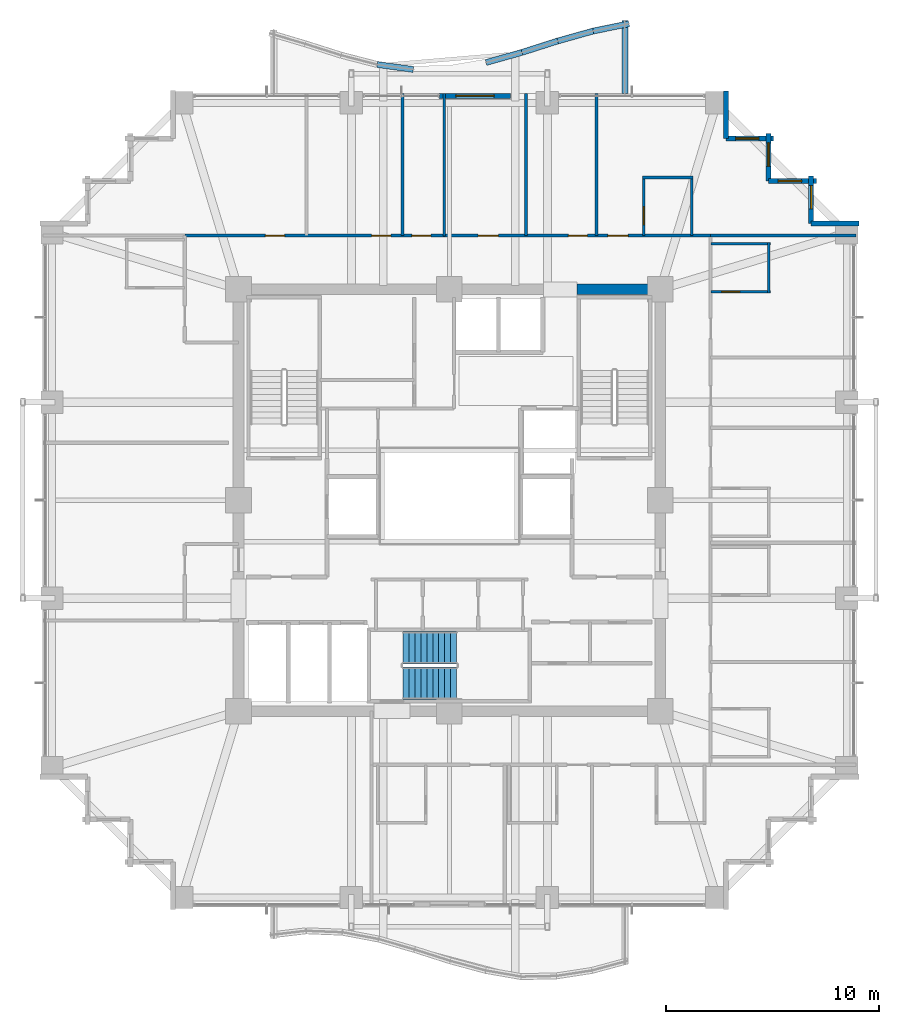
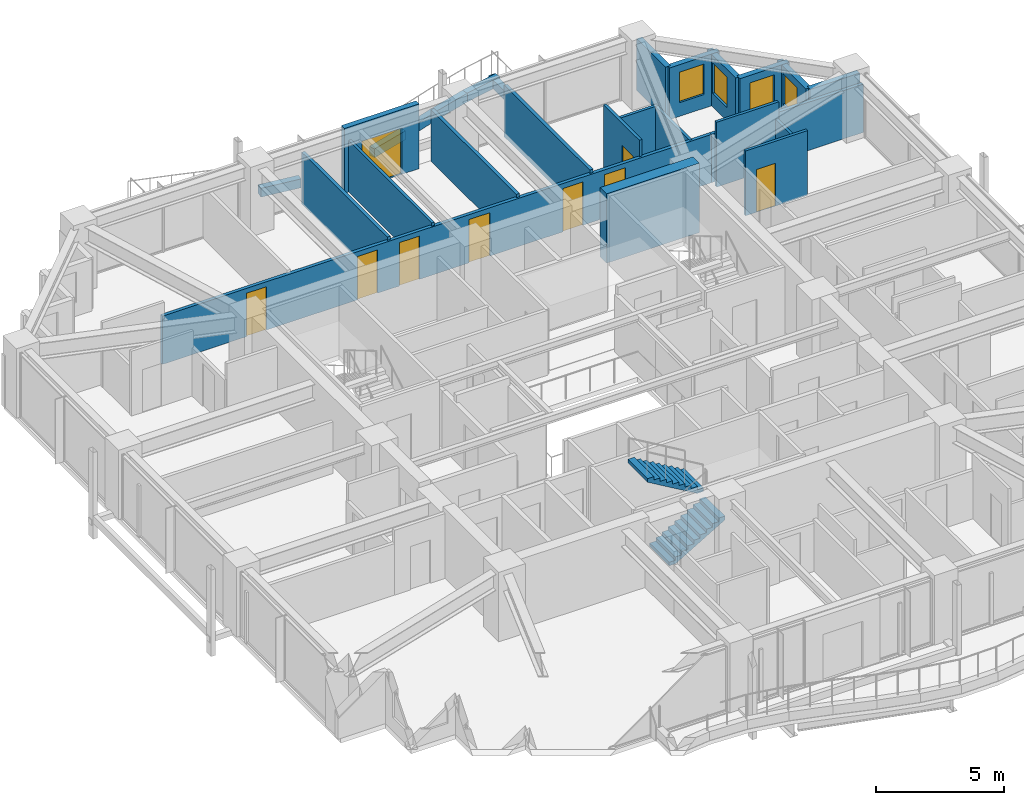
# One storey, part 31 of 34: 26 walls, 9 doors, 4 windows, 2 stair flights, 13 openings, 1 element without a shape of its own.
"""IFC4 building model written with IfcOpenShell, lengths in metres."""

from ifc_helpers import new_model, si_unit, direction, frame, frame_2d, origin, place, context, subcontext, project, spatial, polyline, rectangle, outline, extrude, material, layer, layer_set, type_object, element, fill, aggregate, save


model = new_model("IFC4")

# Units and contexts
model_context = context("Model", 3, precision=1e-05, world=origin(), true_north=direction((0.0, 1.0)))
body_context = subcontext(model_context, "Body", "Model", "MODEL_VIEW")
ifc_project = project(units=[si_unit("LENGTHUNIT", "METRE"), si_unit("AREAUNIT", "SQUARE_METRE"), si_unit("VOLUMEUNIT", "CUBIC_METRE"), si_unit("PLANEANGLEUNIT", "RADIAN"), si_unit("MASSUNIT", "GRAM", prefix="KILO")], contexts=[model_context])

# Site, building, storey
site_placement = place(None, origin())
site = spatial("IfcSite", under=ifc_project, at=site_placement, CompositionType="ELEMENT")
building_placement = place(site_placement, origin())
building = spatial("IfcBuilding", under=site, at=building_placement, Name="Kolvaren Belvedere", CompositionType="ELEMENT")
storey_placement = place(building_placement, frame((0.0, 0.0, 111.800048828125)))
storey = spatial("IfcBuildingStorey", under=building, at=storey_placement, Name="L32", CompositionType="ELEMENT", Elevation=111.800048828125)

# Wall
ifc_material_1 = material(Name="Concrete C50/60", Category="concrete")
ifc_layer_1 = layer(ifc_material_1, 0.5)
ifc_layer_set_1 = layer_set([ifc_layer_1], Name="Concrete C50/60")
wall_type_1 = type_object("IfcWallType", Name="CW-CORE-500", PredefinedType="SHEAR", material=ifc_layer_set_1)
wall_1_placement = place(storey_placement, frame((5.97998046875, 9.89990234375, 0.0), z_axis=(0.0, 0.0, 1.0), x_axis=(1.0, 0.0, 0.0)))
element("IfcWall", 1, at=wall_1_placement, inside=storey, type_object=wall_type_1, Name="L32 North Core Shear Wall 2", PredefinedType="SHEAR", context=body_context, shape_type="SweptSolid", body=[
    extrude(rectangle(XDim=4.169921875, YDim=0.5, at=frame_2d((2.0849609375, 0.0))), origin(), (0.0, 0.0, 1.0), 3.300048828125),
])

# Wall, openings, doors
ifc_material_2 = material(Name="Gypsum fire-rated partition assembly", Category="gypsum")
ifc_layer_2 = layer(ifc_material_2, 0.14990234375)
ifc_layer_set_2 = layer_set([ifc_layer_2], Name="Gypsum fire-rated partition assembly")
wall_type_2 = type_object("IfcWallType", Name="WL-CORR-150", PredefinedType="PARTITIONING", material=ifc_layer_set_2)
wall_2_placement = place(storey_placement, frame((-12.419921875, 12.419921875, 0.0), z_axis=(0.0, 0.0, 1.0), x_axis=(1.0, 0.0, 0.0)))
wall_2 = element("IfcWall", 2, at=wall_2_placement, inside=storey, type_object=wall_type_2, Name="L32 North Corridor Wall", PredefinedType="PARTITIONING", context=body_context, shape_type="SweptSolid", body=[
    extrude(rectangle(XDim=24.679931640625, YDim=0.14990234375, at=frame_2d((12.33984375, 0.0))), origin(), (0.0, 0.0, 1.0), 2.2919921875),
])
opening_1_placement = place(wall_2_placement, frame((3.781494140625, 0.0, 0.0)))
opening_1 = element("IfcOpeningElement", 3, at=opening_1_placement, cuts=wall_2, Name="Opening D-INT90", PredefinedType="OPENING", context=body_context, shape_type="SweptSolid", body=[
    extrude(rectangle(XDim=0.89990234375, YDim=2.06005859375, at=frame_2d((0.449951171875, 1.030029296875))), frame((0.0, 0.0849609375, 0.0), z_axis=(0.0, -1.0, 0.0), x_axis=(1.0, 0.0, 0.0)), (0.0, 0.0, 1.0), 0.169921875),
])
opening_2_placement = place(wall_2_placement, frame((8.773193359375, 0.0, 0.0)))
opening_2 = element("IfcOpeningElement", 4, at=opening_2_placement, cuts=wall_2, Name="Opening D-INT90", PredefinedType="OPENING", context=body_context, shape_type="SweptSolid", body=[
    extrude(rectangle(XDim=0.89990234375, YDim=2.06005859375, at=frame_2d((0.449951171875, 1.030029296875))), frame((0.0, 0.0849609375, 0.0), z_axis=(0.0, -1.0, 0.0), x_axis=(1.0, 0.0, 0.0)), (0.0, 0.0, 1.0), 0.169921875),
])
opening_3_placement = place(wall_2_placement, frame((10.656005859375, 0.0, 0.0)))
opening_3 = element("IfcOpeningElement", 5, at=opening_3_placement, cuts=wall_2, Name="Opening D-INT90", PredefinedType="OPENING", context=body_context, shape_type="SweptSolid", body=[
    extrude(rectangle(XDim=0.89990234375, YDim=2.06005859375, at=frame_2d((0.449951171875, 1.030029296875))), frame((0.0, 0.0849609375, 0.0), z_axis=(0.0, -1.0, 0.0), x_axis=(1.0, 0.0, 0.0)), (0.0, 0.0, 1.0), 0.169921875),
])
opening_4_placement = place(wall_2_placement, frame((13.773193359375, 0.0, 0.0)))
opening_4 = element("IfcOpeningElement", 6, at=opening_4_placement, cuts=wall_2, Name="Opening D-INT95", PredefinedType="OPENING", context=body_context, shape_type="SweptSolid", body=[
    extrude(rectangle(XDim=0.949951171875, YDim=2.06005859375, at=frame_2d((0.47509765625, 1.030029296875))), frame((0.0, 0.0849609375, 0.0), z_axis=(0.0, -1.0, 0.0), x_axis=(1.0, 0.0, 0.0)), (0.0, 0.0, 1.0), 0.169921875),
])
opening_5_placement = place(wall_2_placement, frame((18.00048828125, 0.0, 0.0)))
opening_5 = element("IfcOpeningElement", 7, at=opening_5_placement, cuts=wall_2, Name="Opening D-INT90", PredefinedType="OPENING", context=body_context, shape_type="SweptSolid", body=[
    extrude(rectangle(XDim=0.89990234375, YDim=2.06005859375, at=frame_2d((0.449951171875, 1.030029296875))), frame((0.0, 0.0849609375, 0.0), z_axis=(0.0, -1.0, 0.0), x_axis=(1.0, 0.0, 0.0)), (0.0, 0.0, 1.0), 0.169921875),
])
opening_6_placement = place(wall_2_placement, frame((19.861083984375, 0.0, 0.0)))
opening_6 = element("IfcOpeningElement", 8, at=opening_6_placement, cuts=wall_2, Name="Opening D-FD60", PredefinedType="OPENING", context=body_context, shape_type="SweptSolid", body=[
    extrude(rectangle(XDim=0.949951171875, YDim=2.06005859375, at=frame_2d((0.47509765625, 1.030029296875))), frame((0.0, 0.0849609375, 0.0), z_axis=(0.0, -1.0, 0.0), x_axis=(1.0, 0.0, 0.0)), (0.0, 0.0, 1.0), 0.169921875),
])
ifc_material_3 = material(Name="Acoustic white-oak fire door leaf", Category="timber")
door_type_1 = type_object("IfcDoorType", Name="DR-FD60-950", OperationType="NOTDEFINED", PredefinedType="DOOR", material=ifc_material_3)
door_1_placement = place(opening_6_placement, origin())
door_1 = element("IfcDoor", 9, at=door_1_placement, inside=storey, type_object=door_type_1, Name="L32 King Guest Room 3204 Entry Door", OperationType="SINGLE_SWING_LEFT", OverallHeight=2.06005859375, OverallWidth=0.949951171875, PredefinedType="DOOR", context=body_context, shape_type="SweptSolid", body=[
    extrude(rectangle(XDim=0.949951171875, YDim=2.06005859375, at=frame_2d((0.47509765625, 1.030029296875))), frame((0.0, 0.02490234375, 0.0), z_axis=(0.0, -1.0, 0.0), x_axis=(1.0, 0.0, 0.0)), (0.0, 0.0, 1.0), 0.050048828125),
])
fill(opening_6, door_1)
ifc_material_4 = material(Name="Stained Pacific white oak", Category="timber")
door_type_2 = type_object("IfcDoorType", Name="DR-INT-900", OperationType="NOTDEFINED", PredefinedType="DOOR", material=ifc_material_4)
door_2_placement = place(opening_1_placement, origin())
door_2 = element("IfcDoor", 10, at=door_2_placement, inside=storey, type_object=door_type_2, Name="L32 Wellness Yoga & Reading Gym 3201 Door", OperationType="SINGLE_SWING_LEFT", OverallHeight=2.06005859375, OverallWidth=0.89990234375, PredefinedType="DOOR", context=body_context, shape_type="SweptSolid", body=[
    extrude(rectangle(XDim=0.89990234375, YDim=2.06005859375, at=frame_2d((0.449951171875, 1.030029296875))), frame((0.0, 0.02490234375, 0.0), z_axis=(0.0, -1.0, 0.0), x_axis=(1.0, 0.0, 0.0)), (0.0, 0.0, 1.0), 0.050048828125),
])
fill(opening_1, door_2)
door_3_placement = place(opening_2_placement, origin())
door_3 = element("IfcDoor", 11, at=door_3_placement, inside=storey, type_object=door_type_2, Name="L32 Guest Tea & Espresso Kitchen 3202 Door", OperationType="SINGLE_SWING_RIGHT", OverallHeight=2.06005859375, OverallWidth=0.89990234375, PredefinedType="DOOR", context=body_context, shape_type="SweptSolid", body=[
    extrude(rectangle(XDim=0.89990234375, YDim=2.06005859375, at=frame_2d((0.449951171875, 1.030029296875))), frame((0.0, 0.02490234375, 0.0), z_axis=(0.0, -1.0, 0.0), x_axis=(1.0, 0.0, 0.0)), (0.0, 0.0, 1.0), 0.050048828125),
])
fill(opening_2, door_3)
door_4_placement = place(opening_3_placement, origin())
door_4 = element("IfcDoor", 12, at=door_4_placement, inside=storey, type_object=door_type_2, Name="L32 Housekeeping Door", OperationType="SINGLE_SWING_LEFT", OverallHeight=2.06005859375, OverallWidth=0.89990234375, PredefinedType="DOOR", context=body_context, shape_type="SweptSolid", body=[
    extrude(rectangle(XDim=0.89990234375, YDim=2.06005859375, at=frame_2d((0.449951171875, 1.030029296875))), frame((0.0, 0.02490234375, 0.0), z_axis=(0.0, -1.0, 0.0), x_axis=(1.0, 0.0, 0.0)), (0.0, 0.0, 1.0), 0.050048828125),
])
fill(opening_3, door_4)
door_5_placement = place(opening_5_placement, origin())
door_5 = element("IfcDoor", 13, at=door_5_placement, inside=storey, type_object=door_type_2, Name="L32 Private Hospitality Meeting Room 3203 Door", OperationType="SINGLE_SWING_LEFT", OverallHeight=2.06005859375, OverallWidth=0.89990234375, PredefinedType="DOOR", context=body_context, shape_type="SweptSolid", body=[
    extrude(rectangle(XDim=0.89990234375, YDim=2.06005859375, at=frame_2d((0.449951171875, 1.030029296875))), frame((0.0, 0.02490234375, 0.0), z_axis=(0.0, -1.0, 0.0), x_axis=(1.0, 0.0, 0.0)), (0.0, 0.0, 1.0), 0.050048828125),
])
fill(opening_5, door_5)
ifc_material_5 = material(Name="Stained Pacific white oak", Category="timber")
door_type_3 = type_object("IfcDoorType", Name="DR-INT-950", OperationType="NOTDEFINED", PredefinedType="DOOR", material=ifc_material_5)
door_6_placement = place(opening_4_placement, origin())
door_6 = element("IfcDoor", 14, at=door_6_placement, inside=storey, type_object=door_type_3, Name="L32 Accessible Washroom Door", OperationType="SINGLE_SWING_RIGHT", OverallHeight=2.06005859375, OverallWidth=0.949951171875, PredefinedType="DOOR", context=body_context, shape_type="SweptSolid", body=[
    extrude(rectangle(XDim=0.949951171875, YDim=2.06005859375, at=frame_2d((0.47509765625, 1.030029296875))), frame((0.0, 0.02490234375, 0.0), z_axis=(0.0, -1.0, 0.0), x_axis=(1.0, 0.0, 0.0)), (0.0, 0.0, 1.0), 0.050048828125),
])
fill(opening_4, door_6)

# Wall
ifc_material_6 = material(Name="Insulated pale-metal facade wall assembly", Category="aluminium")
ifc_layer_3 = layer(ifc_material_6, 0.239990234375)
ifc_layer_set_3 = layer_set([ifc_layer_3], Name="Insulated pale-metal facade wall assembly")
wall_type_3 = type_object("IfcWallType", Name="WL-EXT-240", PredefinedType="STANDARD", material=ifc_layer_set_3)
wall_3_placement = place(storey_placement, frame((16.97998046875, 12.97998046875, 0.0), z_axis=(0.0, 0.0, 1.0), x_axis=(1.0, 0.0, 0.0)))
element("IfcWall", 15, at=wall_3_placement, inside=storey, type_object=wall_type_3, Name="L32 Serrated Corner Facade Wall 9", PredefinedType="STANDARD", context=body_context, shape_type="SweptSolid", body=[
    extrude(rectangle(XDim=2.239990234375, YDim=0.239990234375, at=frame_2d((1.1201171875, 0.0))), origin(), (0.0, 0.0, 1.0), 2.458984375),
])

# Wall, opening, window
wall_4_placement = place(storey_placement, frame((16.97998046875, 15.219970703125, 0.0), z_axis=(0.0, 0.0, 1.0), x_axis=(0.0, -1.0, 0.0)))
wall_4 = element("IfcWall", 16, at=wall_4_placement, inside=storey, type_object=wall_type_3, Name="L32 Serrated Corner Facade Wall 10", PredefinedType="STANDARD", context=body_context, shape_type="SweptSolid", body=[
    extrude(rectangle(XDim=2.239990234375, YDim=0.239990234375, at=frame_2d((1.1201171875, 0.0))), origin(), (0.0, 0.0, 1.0), 2.458984375),
])
opening_7_placement = place(wall_4_placement, frame((0.449951171875, 0.0, 0.64990234375)))
opening_7 = element("IfcOpeningElement", 17, at=opening_7_placement, cuts=wall_4, Name="Opening W-1100", PredefinedType="OPENING", context=body_context, shape_type="SweptSolid", body=[
    extrude(rectangle(XDim=1.10009765625, YDim=1.449951171875, at=frame_2d((0.550048828125, 0.72509765625))), frame((0.0, 0.1298828125, 0.0), z_axis=(0.0, -1.0, 0.0), x_axis=(1.0, 0.0, 0.0)), (0.0, 0.0, 1.0), 0.260009765625),
])
ifc_material_7 = material(Name="Low-iron triple insulated glass", Category="glass")
window_type = type_object("IfcWindowType", Name="WN-CORN-1100", PartitioningType="SINGLE_PANEL", PredefinedType="WINDOW", material=ifc_material_7)
window_1_placement = place(opening_7_placement, origin())
window_1 = element("IfcWindow", 18, at=window_1_placement, inside=storey, type_object=window_type, Name="L32 Serrated Corner Vision Window 10", OverallHeight=1.449951171875, OverallWidth=1.10009765625, PartitioningType="SINGLE_PANEL", PredefinedType="WINDOW", context=body_context, shape_type="SweptSolid", body=[
    extrude(rectangle(XDim=1.10009765625, YDim=1.449951171875, at=frame_2d((0.550048828125, 0.72509765625))), frame((0.0, 0.030029296875, 0.0), z_axis=(0.0, -1.0, 0.0), x_axis=(1.0, 0.0, 0.0)), (0.0, 0.0, 1.0), 0.06005859375),
])
fill(opening_7, window_1)

wall_5_placement = place(storey_placement, frame((14.97998046875, 14.97998046875, 0.0), z_axis=(0.0, 0.0, 1.0), x_axis=(1.0, 0.0, 0.0)))
wall_5 = element("IfcWall", 19, at=wall_5_placement, inside=storey, type_object=wall_type_3, Name="L32 Serrated Corner Facade Wall 11", PredefinedType="STANDARD", context=body_context, shape_type="SweptSolid", body=[
    extrude(rectangle(XDim=2.239990234375, YDim=0.239990234375, at=frame_2d((1.1201171875, 0.0))), origin(), (0.0, 0.0, 1.0), 2.458984375),
])
opening_8_placement = place(wall_5_placement, frame((0.449951171875, 0.0, 0.64990234375)))
opening_8 = element("IfcOpeningElement", 20, at=opening_8_placement, cuts=wall_5, Name="Opening W-1100", PredefinedType="OPENING", context=body_context, shape_type="SweptSolid", body=[
    extrude(rectangle(XDim=1.10009765625, YDim=1.449951171875, at=frame_2d((0.550048828125, 0.72509765625))), frame((0.0, 0.1298828125, 0.0), z_axis=(0.0, -1.0, 0.0), x_axis=(1.0, 0.0, 0.0)), (0.0, 0.0, 1.0), 0.260009765625),
])
window_2_placement = place(opening_8_placement, origin())
window_2 = element("IfcWindow", 21, at=window_2_placement, inside=storey, type_object=window_type, Name="L32 Serrated Corner Vision Window 11", OverallHeight=1.449951171875, OverallWidth=1.10009765625, PartitioningType="SINGLE_PANEL", PredefinedType="WINDOW", context=body_context, shape_type="SweptSolid", body=[
    extrude(rectangle(XDim=1.10009765625, YDim=1.449951171875, at=frame_2d((0.550048828125, 0.72509765625))), frame((0.0, 0.030029296875, 0.0), z_axis=(0.0, -1.0, 0.0), x_axis=(1.0, 0.0, 0.0)), (0.0, 0.0, 1.0), 0.06005859375),
])
fill(opening_8, window_2)

wall_6_placement = place(storey_placement, frame((14.97998046875, 17.219970703125, 0.0), z_axis=(0.0, 0.0, 1.0), x_axis=(0.0, -1.0, 0.0)))
wall_6 = element("IfcWall", 22, at=wall_6_placement, inside=storey, type_object=wall_type_3, Name="L32 Serrated Corner Facade Wall 12", PredefinedType="STANDARD", context=body_context, shape_type="SweptSolid", body=[
    extrude(rectangle(XDim=2.239990234375, YDim=0.239990234375, at=frame_2d((1.1201171875, 0.0))), origin(), (0.0, 0.0, 1.0), 2.458984375),
])
opening_9_placement = place(wall_6_placement, frame((0.449951171875, 0.0, 0.64990234375)))
opening_9 = element("IfcOpeningElement", 23, at=opening_9_placement, cuts=wall_6, Name="Opening W-1100", PredefinedType="OPENING", context=body_context, shape_type="SweptSolid", body=[
    extrude(rectangle(XDim=1.10009765625, YDim=1.449951171875, at=frame_2d((0.550048828125, 0.72509765625))), frame((0.0, 0.1298828125, 0.0), z_axis=(0.0, -1.0, 0.0), x_axis=(1.0, 0.0, 0.0)), (0.0, 0.0, 1.0), 0.260009765625),
])
window_3_placement = place(opening_9_placement, origin())
window_3 = element("IfcWindow", 24, at=window_3_placement, inside=storey, type_object=window_type, Name="L32 Serrated Corner Vision Window 12", OverallHeight=1.449951171875, OverallWidth=1.10009765625, PartitioningType="SINGLE_PANEL", PredefinedType="WINDOW", context=body_context, shape_type="SweptSolid", body=[
    extrude(rectangle(XDim=1.10009765625, YDim=1.449951171875, at=frame_2d((0.550048828125, 0.72509765625))), frame((0.0, 0.030029296875, 0.0), z_axis=(0.0, -1.0, 0.0), x_axis=(1.0, 0.0, 0.0)), (0.0, 0.0, 1.0), 0.06005859375),
])
fill(opening_9, window_3)

wall_7_placement = place(storey_placement, frame((12.97998046875, 16.97998046875, 0.0), z_axis=(0.0, 0.0, 1.0), x_axis=(1.0, 0.0, 0.0)))
wall_7 = element("IfcWall", 25, at=wall_7_placement, inside=storey, type_object=wall_type_3, Name="L32 Serrated Corner Facade Wall 13", PredefinedType="STANDARD", context=body_context, shape_type="SweptSolid", body=[
    extrude(rectangle(XDim=2.239990234375, YDim=0.239990234375, at=frame_2d((1.1201171875, 0.0))), origin(), (0.0, 0.0, 1.0), 2.458984375),
])
opening_10_placement = place(wall_7_placement, frame((0.449951171875, 0.0, 0.64990234375)))
opening_10 = element("IfcOpeningElement", 26, at=opening_10_placement, cuts=wall_7, Name="Opening W-1100", PredefinedType="OPENING", context=body_context, shape_type="SweptSolid", body=[
    extrude(rectangle(XDim=1.10009765625, YDim=1.449951171875, at=frame_2d((0.550048828125, 0.72509765625))), frame((0.0, 0.1298828125, 0.0), z_axis=(0.0, -1.0, 0.0), x_axis=(1.0, 0.0, 0.0)), (0.0, 0.0, 1.0), 0.260009765625),
])
window_4_placement = place(opening_10_placement, origin())
window_4 = element("IfcWindow", 27, at=window_4_placement, inside=storey, type_object=window_type, Name="L32 Serrated Corner Vision Window 13", OverallHeight=1.449951171875, OverallWidth=1.10009765625, PartitioningType="SINGLE_PANEL", PredefinedType="WINDOW", context=body_context, shape_type="SweptSolid", body=[
    extrude(rectangle(XDim=1.10009765625, YDim=1.449951171875, at=frame_2d((0.550048828125, 0.72509765625))), frame((0.0, 0.030029296875, 0.0), z_axis=(0.0, -1.0, 0.0), x_axis=(1.0, 0.0, 0.0)), (0.0, 0.0, 1.0), 0.06005859375),
])
fill(opening_10, window_4)

# Wall
wall_8_placement = place(storey_placement, frame((12.97998046875, 19.219970703125, 0.0), z_axis=(0.0, 0.0, 1.0), x_axis=(0.0, -1.0, 0.0)))
element("IfcWall", 28, at=wall_8_placement, inside=storey, type_object=wall_type_3, Name="L32 Serrated Corner Facade Wall 14", PredefinedType="STANDARD", context=body_context, shape_type="SweptSolid", body=[
    extrude(rectangle(XDim=2.239990234375, YDim=0.239990234375, at=frame_2d((1.1201171875, 0.0))), origin(), (0.0, 0.0, 1.0), 2.458984375),
])

# Wall, opening, door
wall_9_placement = place(storey_placement, frame((-0.47998046875, 18.97998046875, 0.0), z_axis=(0.0, 0.0, 1.0), x_axis=(1.0, 0.0, 0.0)))
wall_9 = element("IfcWall", 29, at=wall_9_placement, inside=storey, type_object=wall_type_3, Name="L32 North Terrace Portal Wall", PredefinedType="STANDARD", context=body_context, shape_type="SweptSolid", body=[
    extrude(rectangle(XDim=3.35986328125, YDim=0.239990234375, at=frame_2d((1.679931640625, 0.0))), origin(), (0.0, 0.0, 1.0), 3.079833984375),
])
opening_11_placement = place(wall_9_placement, frame((0.780029296875, 0.0, 0.0)))
opening_11 = element("IfcOpeningElement", 30, at=opening_11_placement, cuts=wall_9, Name="Opening DB-1800", PredefinedType="OPENING", context=body_context, shape_type="SweptSolid", body=[
    extrude(rectangle(XDim=1.800048828125, YDim=2.199951171875, at=frame_2d((0.89990234375, 1.10009765625))), frame((0.0, 0.1298828125, 0.0), z_axis=(0.0, -1.0, 0.0), x_axis=(1.0, 0.0, 0.0)), (0.0, 0.0, 1.0), 0.260009765625),
])
ifc_material_8 = material(Name="Thermally broken pale-metal aluminium & low-iron glass", Category="aluminium")
door_type_4 = type_object("IfcDoorType", Name="DR-BAL-1800", OperationType="DOUBLE_DOOR_SLIDING", PredefinedType="DOOR", material=ifc_material_8)
door_7_placement = place(opening_11_placement, origin())
door_7 = element("IfcDoor", 31, at=door_7_placement, inside=storey, type_object=door_type_4, Name="L32 North Planted Terrace Sliding Door", OperationType="DOUBLE_DOOR_SLIDING", OverallHeight=2.199951171875, OverallWidth=1.800048828125, PredefinedType="DOOR", context=body_context, shape_type="SweptSolid", body=[
    extrude(rectangle(XDim=1.800048828125, YDim=2.199951171875, at=frame_2d((0.89990234375, 1.10009765625))), frame((0.0, 0.02490234375, 0.0), z_axis=(0.0, -1.0, 0.0), x_axis=(1.0, 0.0, 0.0)), (0.0, 0.0, 1.0), 0.050048828125),
])
fill(opening_11, door_7)

# Walls
ifc_material_9 = material(Name="Gypsum acoustic partition assembly", Category="gypsum")
ifc_layer_4 = layer(ifc_material_9, 0.14990234375)
ifc_layer_set_4 = layer_set([ifc_layer_4], Name="Gypsum acoustic partition assembly")
wall_type_4 = type_object("IfcWallType", Name="WL-PART-150", PredefinedType="PARTITIONING", material=ifc_layer_set_4)
wall_10_placement = place(storey_placement, frame((12.260009765625, 12.419921875, 0.0), z_axis=(0.0, 0.0, 1.0), x_axis=(1.0, 0.0, 0.0)))
element("IfcWall", 32, at=wall_10_placement, inside=storey, type_object=wall_type_4, Name="L32 Wing Divider PW-L32-QNE", PredefinedType="PARTITIONING", context=body_context, shape_type="SweptSolid", body=[
    extrude(rectangle(XDim=6.820068359375, YDim=0.14990234375, at=frame_2d((3.41015625, 0.0))), origin(), (0.0, 0.0, 1.0), 2.2919921875),
])
for number, where, z_axis, x_axis, name in (
    (33, (-2.199951171875, 12.419921875, 0.0), (0.0, 0.0, 1.0), (0.0, 1.0, 0.0), "L32 North Suite Demising Wall 2"),
    (34, (3.60009765625, 12.419921875, 0.0), (0.0, 0.0, 1.0), (0.0, 1.0, 0.0), "L32 North Suite Demising Wall 3"),
    (35, (6.89990234375, 12.419921875, 0.0), (0.0, 0.0, 1.0), (0.0, 1.0, 0.0), "L32 North Suite Demising Wall 4"),
):
    element("IfcWall", number, at=place(storey_placement, frame(where, z_axis=z_axis, x_axis=x_axis)), inside=storey, type_object=wall_type_4, Name=name, PredefinedType="PARTITIONING", context=body_context, shape_type="SweptSolid", body=[
        extrude(rectangle(XDim=6.66015625, YDim=0.14990234375, at=frame_2d((3.330078125, 0.0))), origin(), (0.0, 0.0, 1.0), 2.448974609375),
    ])
ifc_material_10 = material(Name="Precast concrete C40/50", Category="concrete")
ifc_layer_5 = layer(ifc_material_10, 0.300048828125)
ifc_layer_set_5 = layer_set([ifc_layer_5], Name="Precast concrete C40/50")
wall_type_5 = type_object("IfcWallType", Name="WL-PLANTER-300", PredefinedType="PARAPET", material=ifc_layer_set_5)
wall_11_placement = place(storey_placement, frame((8.239990234375, 19.10009765625, -0.0400390625), z_axis=(0.0, 0.0, 1.0), x_axis=(0.0, 1.0, 0.0)))
element("IfcWall", 36, at=wall_11_placement, inside=storey, type_object=wall_type_5, Name="L32 Precast Structural Planter Wall BAL-N-11", PredefinedType="PARAPET", context=body_context, shape_type="SweptSolid", body=[
    extrude(rectangle(XDim=3.419921875, YDim=0.280029296875, at=frame_2d((1.7099609375, 0.0))), origin(), (0.0, 0.0, 1.0), 0.419921875),
])
wall_12_placement = place(storey_placement, frame((8.431884765625, 22.36328125, -0.0400390625), z_axis=(0.0, 0.0, 1.0), x_axis=(-0.980040240687, -0.198799211857, 0.0)))
element("IfcWall", 37, at=wall_12_placement, inside=storey, type_object=wall_type_5, Name="L32 Precast Structural Planter Wall BAL-N-12", PredefinedType="PARAPET", context=body_context, shape_type="SweptSolid", body=[
    extrude(rectangle(XDim=1.71435546875, YDim=0.280029296875, at=frame_2d((0.857177734375, 0.0))), origin(), (0.0, 0.0, 1.0), 0.419921875),
])
wall_13_placement = place(storey_placement, frame((6.76318359375, 22.025146484375, -0.0400390625), z_axis=(0.0, 0.0, 1.0), x_axis=(-0.962916043401, -0.269801210823, 0.0)))
element("IfcWall", 38, at=wall_13_placement, inside=storey, type_object=wall_type_5, Name="L32 Precast Structural Planter Wall BAL-N-13", PredefinedType="PARAPET", context=body_context, shape_type="SweptSolid", body=[
    extrude(rectangle(XDim=1.74462890625, YDim=0.280029296875, at=frame_2d((0.872314453125, 0.0))), origin(), (0.0, 0.0, 1.0), 0.419921875),
])
wall_14_placement = place(storey_placement, frame((5.088623046875, 21.55615234375, -0.0400390625), z_axis=(0.0, 0.0, 1.0), x_axis=(-0.952501264923, -0.304534629099, 0.0)))
element("IfcWall", 39, at=wall_14_placement, inside=storey, type_object=wall_type_5, Name="L32 Precast Structural Planter Wall BAL-N-14", PredefinedType="PARAPET", context=body_context, shape_type="SweptSolid", body=[
    extrude(rectangle(XDim=1.763671875, YDim=0.280029296875, at=frame_2d((0.8818359375, 0.0))), origin(), (0.0, 0.0, 1.0), 0.419921875),
])
wall_15_placement = place(storey_placement, frame((3.4033203125, 21.017333984375, -0.0400390625), z_axis=(0.0, 0.0, 1.0), x_axis=(-0.962926227834, -0.269764860108, 0.0)))
element("IfcWall", 40, at=wall_15_placement, inside=storey, type_object=wall_type_5, Name="L32 Precast Structural Planter Wall BAL-N-15", PredefinedType="PARAPET", context=body_context, shape_type="SweptSolid", body=[
    extrude(rectangle(XDim=1.744873046875, YDim=0.280029296875, at=frame_2d((0.87255859375, 0.0))), origin(), (0.0, 0.0, 1.0), 0.419921875),
])
wall_16_placement = place(storey_placement, frame((-1.70166015625, 20.220703125, -0.0400390625), z_axis=(0.0, 0.0, 1.0), x_axis=(-0.990874803987, 0.134785469631, 0.0)))
element("IfcWall", 41, at=wall_16_placement, inside=storey, type_object=wall_type_5, Name="L32 Precast Structural Planter Wall BAL-N-18", PredefinedType="PARAPET", context=body_context, shape_type="SweptSolid", body=[
    extrude(rectangle(XDim=1.6953125, YDim=0.280029296875, at=frame_2d((0.84765625, 0.0))), origin(), (0.0, 0.0, 1.0), 0.419921875),
])
ifc_material_11 = material(Name="Moisture-resistant gypsum partition", Category="gypsum")
ifc_layer_6 = layer(ifc_material_11, 0.125)
ifc_layer_set_6 = layer_set([ifc_layer_6], Name="Moisture-resistant gypsum partition")
wall_type_6 = type_object("IfcWallType", Name="WL-WET-125", PredefinedType="PARTITIONING", material=ifc_layer_set_6)
wall_17_placement = place(storey_placement, frame((-0.23388671875, 12.39501953125, 0.0), z_axis=(0.0, 0.0, 1.0), x_axis=(0.0, 1.0, 0.0)))
element("IfcWall", 42, at=wall_17_placement, inside=storey, type_object=wall_type_6, Name="L32 Housekeeping Washroom Divider", PredefinedType="PARTITIONING", context=body_context, shape_type="SweptSolid", body=[
    extrude(rectangle(XDim=6.68505859375, YDim=0.125, at=frame_2d((3.342529296875, 0.0))), origin(), (0.0, 0.0, 1.0), 2.448974609375),
])

# Wall, opening, door
wall_18_placement = place(storey_placement, frame((9.12109375, 12.43505859375, 0.0), z_axis=(0.0, 0.0, 1.0), x_axis=(0.0, 1.0, 0.0)))
wall_18 = element("IfcWall", 43, at=wall_18_placement, inside=storey, type_object=wall_type_6, Name="L32 Bathroom Partition PW-L32-BTH-4-E", PredefinedType="PARTITIONING", context=body_context, shape_type="SweptSolid", body=[
    extrude(rectangle(XDim=2.7900390625, YDim=0.125, at=frame_2d((1.39501953125, 0.0))), origin(), (0.0, 0.0, 1.0), 3.079833984375),
])
opening_12_placement = place(wall_18_placement, frame((0.5, 0.0, 0.0)))
opening_12 = element("IfcOpeningElement", 44, at=opening_12_placement, cuts=wall_18, Name="Opening D-BTH85", PredefinedType="OPENING", context=body_context, shape_type="SweptSolid", body=[
    extrude(rectangle(XDim=0.85009765625, YDim=2.030029296875, at=frame_2d((0.425048828125, 1.01513671875))), frame((0.0, 0.072509765625, 0.0), z_axis=(0.0, -1.0, 0.0), x_axis=(1.0, 0.0, 0.0)), (0.0, 0.0, 1.0), 0.14501953125),
])
ifc_material_12 = material(Name="Moisture-sealed Pacific white oak", Category="timber")
door_type_5 = type_object("IfcDoorType", Name="DR-BATH-850", OperationType="NOTDEFINED", PredefinedType="DOOR", material=ifc_material_12)
door_8_placement = place(opening_12_placement, origin())
door_8 = element("IfcDoor", 45, at=door_8_placement, inside=storey, type_object=door_type_5, Name="L32 En-Suite Bathroom 3204 Door", OperationType="SINGLE_SWING_RIGHT", OverallHeight=2.030029296875, OverallWidth=0.85009765625, PredefinedType="DOOR", context=body_context, shape_type="SweptSolid", body=[
    extrude(rectangle(XDim=0.85009765625, YDim=2.030029296875, at=frame_2d((0.425048828125, 1.01513671875))), frame((0.0, 0.02490234375, 0.0), z_axis=(0.0, -1.0, 0.0), x_axis=(1.0, 0.0, 0.0)), (0.0, 0.0, 1.0), 0.050048828125),
])
fill(opening_12, door_8)

# Walls
wall_19_placement = place(storey_placement, frame((9.06103515625, 15.14501953125, 0.0), z_axis=(0.0, 0.0, 1.0), x_axis=(1.0, 0.0, 0.0)))
element("IfcWall", 46, at=wall_19_placement, inside=storey, type_object=wall_type_6, Name="L32 Bathroom Partition PW-L32-BTH-4-H", PredefinedType="PARTITIONING", context=body_context, shape_type="SweptSolid", body=[
    extrude(rectangle(XDim=2.369873046875, YDim=0.125, at=frame_2d((1.18505859375, 0.0))), origin(), (0.0, 0.0, 1.0), 2.2919921875),
])
wall_20_placement = place(storey_placement, frame((11.37109375, 12.43505859375, 0.0), z_axis=(0.0, 0.0, 1.0), x_axis=(0.0, 1.0, 0.0)))
element("IfcWall", 47, at=wall_20_placement, inside=storey, type_object=wall_type_6, Name="L32 Bathroom Partition PW-L32-BTH-4-W", PredefinedType="PARTITIONING", context=body_context, shape_type="SweptSolid", body=[
    extrude(rectangle(XDim=2.7900390625, YDim=0.125, at=frame_2d((1.39501953125, 0.0))), origin(), (0.0, 0.0, 1.0), 2.2919921875),
])

# Wall, opening, door
wall_21_placement = place(storey_placement, frame((12.27490234375, 9.791015625, 0.0), z_axis=(0.0, 0.0, 1.0), x_axis=(1.0, 0.0, 0.0)))
wall_21 = element("IfcWall", 48, at=wall_21_placement, inside=storey, type_object=wall_type_6, Name="L32 Bathroom Partition PW-L32-BTH-9-N", PredefinedType="PARTITIONING", context=body_context, shape_type="SweptSolid", body=[
    extrude(rectangle(XDim=2.7900390625, YDim=0.125, at=frame_2d((1.39501953125, 0.0))), origin(), (0.0, 0.0, 1.0), 3.079833984375),
])
opening_13_placement = place(wall_21_placement, frame((0.5, 0.0, 0.0)))
opening_13 = element("IfcOpeningElement", 49, at=opening_13_placement, cuts=wall_21, Name="Opening D-BTH85", PredefinedType="OPENING", context=body_context, shape_type="SweptSolid", body=[
    extrude(rectangle(XDim=0.85009765625, YDim=2.030029296875, at=frame_2d((0.425048828125, 1.01513671875))), frame((0.0, 0.072509765625, 0.0), z_axis=(0.0, -1.0, 0.0), x_axis=(1.0, 0.0, 0.0)), (0.0, 0.0, 1.0), 0.14501953125),
])
door_9_placement = place(opening_13_placement, origin())
door_9 = element("IfcDoor", 50, at=door_9_placement, inside=storey, type_object=door_type_5, Name="L32 En-Suite Bathroom 3209 Door", OperationType="SINGLE_SWING_LEFT", OverallHeight=2.030029296875, OverallWidth=0.85009765625, PredefinedType="DOOR", context=body_context, shape_type="SweptSolid", body=[
    extrude(rectangle(XDim=0.85009765625, YDim=2.030029296875, at=frame_2d((0.425048828125, 1.01513671875))), frame((0.0, 0.02490234375, 0.0), z_axis=(0.0, -1.0, 0.0), x_axis=(1.0, 0.0, 0.0)), (0.0, 0.0, 1.0), 0.050048828125),
])
fill(opening_13, door_9)

# Walls
wall_22_placement = place(storey_placement, frame((14.985107421875, 9.73095703125, 0.0), z_axis=(0.0, 0.0, 1.0), x_axis=(0.0, 1.0, 0.0)))
element("IfcWall", 51, at=wall_22_placement, inside=storey, type_object=wall_type_6, Name="L32 Bathroom Partition PW-L32-BTH-9-V", PredefinedType="PARTITIONING", context=body_context, shape_type="SweptSolid", body=[
    extrude(rectangle(XDim=2.3701171875, YDim=0.125, at=frame_2d((1.18505859375, 0.0))), origin(), (0.0, 0.0, 1.0), 2.2919921875),
])
wall_23_placement = place(storey_placement, frame((12.27490234375, 12.041015625, 0.0), z_axis=(0.0, 0.0, 1.0), x_axis=(1.0, 0.0, 0.0)))
element("IfcWall", 52, at=wall_23_placement, inside=storey, type_object=wall_type_6, Name="L32 Bathroom Partition PW-L32-BTH-9-S", PredefinedType="PARTITIONING", context=body_context, shape_type="SweptSolid", body=[
    extrude(rectangle(XDim=2.7900390625, YDim=0.125, at=frame_2d((1.39501953125, 0.0))), origin(), (0.0, 0.0, 1.0), 3.079833984375),
])

# Stair, stair flights
ifc_material_13 = material(Name="Concrete C50/60", Category="concrete")
stair_type = type_object("IfcStairType", Name="ST-CORE-1520", PredefinedType="HALF_TURN_STAIR", material=ifc_material_13)
stair_placement = place(storey_placement, origin())
stair = element("IfcStair", 53, at=stair_placement, inside=storey, type_object=stair_type, Name="L32 Protected Exit Stair ST-3", PredefinedType="HALF_TURN_STAIR")
ifc_material_14 = material(Name="Concrete C50/60", Category="concrete")
stair_flight_type = type_object("IfcStairFlightType", Name="SF-STR-1520", PredefinedType="STRAIGHT", material=ifc_material_14)
stair_flight_1_placement = place(storey_placement, frame((-2.179931640625, -8.590087890625, 0.0), z_axis=(0.0, 0.0, 1.0), x_axis=(1.0, 0.0, 0.0)))
stair_flight_1 = element("IfcStairFlight", 54, at=stair_flight_1_placement, type_object=stair_flight_type, Name="ST-3 flight 1", NumberOfRisers=10, NumberOfTreads=9, PredefinedType="STRAIGHT", RiserHeight=0.165, TreadLength=0.28, context=body_context, shape_type="SweptSolid", body=[
    extrude(outline(polyline([(0.0, 0.0), (0.0, 0.1650390625), (0.280029296875, 0.1650390625), (0.280029296875, 0.330078125), (0.56005859375, 0.330078125), (0.56005859375, 0.4951171875), (0.840087890625, 0.4951171875), (0.840087890625, 0.659912109375), (1.1201171875, 0.659912109375), (1.1201171875, 0.824951171875), (1.39990234375, 0.824951171875), (1.39990234375, 0.989990234375), (1.679931640625, 0.989990234375), (1.679931640625, 1.155029296875), (1.9599609375, 1.155029296875), (1.9599609375, 1.320068359375), (2.239990234375, 1.320068359375), (2.239990234375, 1.485107421875), (2.52001953125, 1.485107421875), (2.52001953125, 1.64990234375), (2.52001953125, 1.31103515625), (0.295166015625, 0.0), (0.0, 0.0)])), frame((0.0, 0.760009765625, 0.0), z_axis=(0.0, -1.0, 0.0), x_axis=(1.0, 0.0, 0.0)), (0.0, 0.0, 1.0), 1.52001953125),
])
stair_flight_2_placement = place(storey_placement, frame((0.340087890625, -6.919921875, 1.64990234375), z_axis=(0.0, 0.0, 1.0), x_axis=(-1.0, 0.0, 0.0)))
stair_flight_2 = element("IfcStairFlight", 55, at=stair_flight_2_placement, type_object=stair_flight_type, Name="ST-3 flight 2", NumberOfRisers=10, NumberOfTreads=9, PredefinedType="STRAIGHT", RiserHeight=0.165, TreadLength=0.28, context=body_context, shape_type="SweptSolid", body=[
    extrude(outline(polyline([(0.0, 0.0), (0.0, 0.1650390625), (0.280029296875, 0.1650390625), (0.280029296875, 0.330078125), (0.56005859375, 0.330078125), (0.56005859375, 0.4951171875), (0.840087890625, 0.4951171875), (0.840087890625, 0.659912109375), (1.1201171875, 0.659912109375), (1.1201171875, 0.824951171875), (1.39990234375, 0.824951171875), (1.39990234375, 0.989990234375), (1.679931640625, 0.989990234375), (1.679931640625, 1.155029296875), (1.9599609375, 1.155029296875), (1.9599609375, 1.320068359375), (2.239990234375, 1.320068359375), (2.239990234375, 1.485107421875), (2.52001953125, 1.485107421875), (2.52001953125, 1.64990234375), (2.52001953125, 1.31103515625), (0.295166015625, 0.0), (0.0, 0.0)])), frame((0.0, 0.760009765625, 0.0), z_axis=(0.0, -1.0, 0.0), x_axis=(1.0, 0.0, 0.0)), (0.0, 0.0, 1.0), 1.52001953125),
])
aggregate(stair, [stair_flight_1, stair_flight_2])

save(model, "model.ifc")
